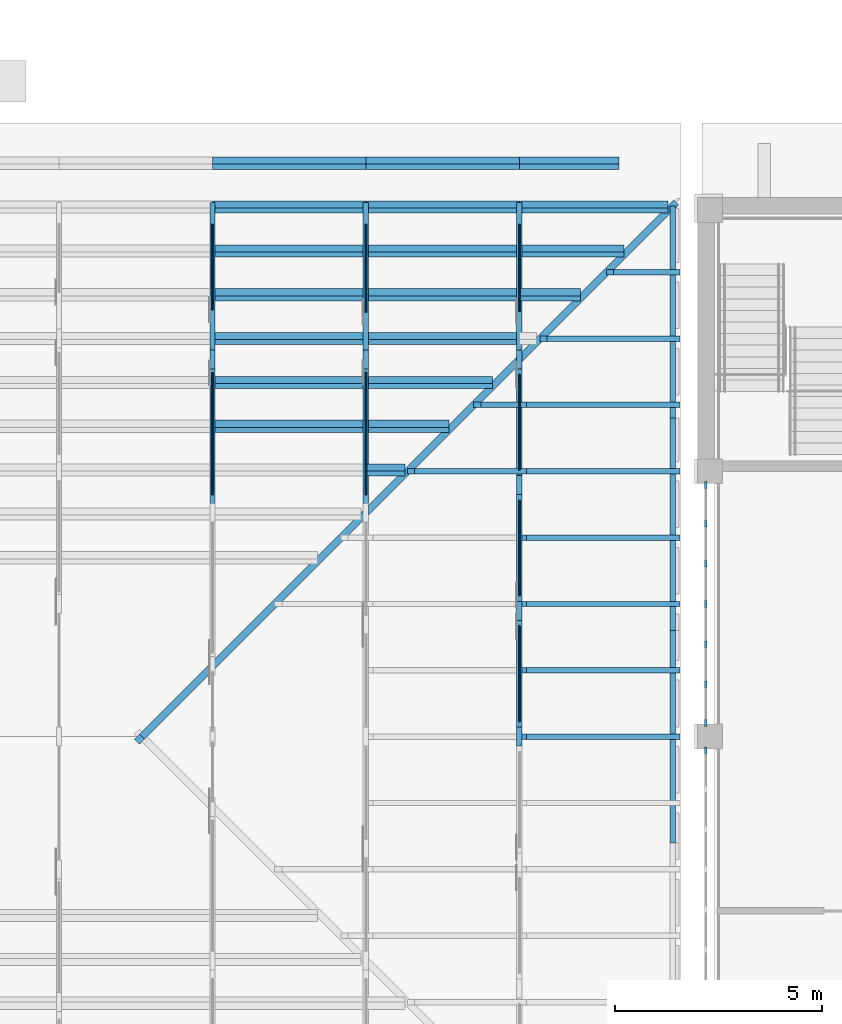
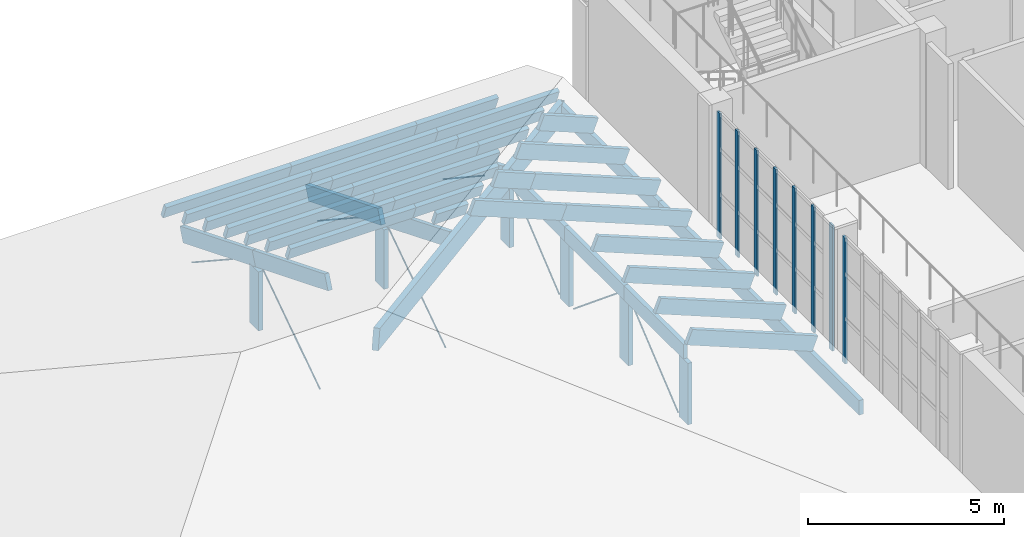
# One storey, part 8 of 68: 59 members, 4 beams, 2 elements without a shape of their own.
"""IFC4 building model written with IfcOpenShell, lengths in metres."""

from ifc_helpers import new_model, si_unit, direction, frame, origin, origin_2d, place, context, subcontext, project, spatial, rectangle, circle, extrude, material, layer, layer_set, material_profile, profile_set, type_object, element, aggregate, save


model = new_model("IFC4")

# Units and contexts
model_context = context("Model", 3, precision=1e-05, world=origin(), true_north=direction((0.0, 1.0)))
body_context = subcontext(model_context, "Body", "Model", "MODEL_VIEW")
ifc_project = project(units=[si_unit("LENGTHUNIT", "METRE"), si_unit("AREAUNIT", "SQUARE_METRE"), si_unit("VOLUMEUNIT", "CUBIC_METRE"), si_unit("PLANEANGLEUNIT", "RADIAN"), si_unit("MASSUNIT", "GRAM", prefix="KILO")], contexts=[model_context])

# Site, building, storey
site_placement = place(None, origin())
site = spatial("IfcSite", under=ifc_project, at=site_placement, CompositionType="ELEMENT")
building_placement = place(site_placement, origin())
building = spatial("IfcBuilding", under=site, at=building_placement, Name="Wasatch Bagh Community Centre", CompositionType="ELEMENT")
storey_placement = place(building_placement, frame((0.0, 0.0, 8.39990234375)))
storey = spatial("IfcBuildingStorey", under=building, at=storey_placement, Name="L02", CompositionType="ELEMENT", Elevation=8.39990234375)

# Beams
ifc_material_1 = material(Name="Glulam 24F-V4 Douglas fir-larch", Category="wood")
ifc_material_profile_1 = material_profile(ifc_material_1, rectangle(XDim=0.130126953125, YDim=0.457275390625, at=origin_2d()), Name="GL 130x457")
ifc_profile_set_1 = profile_set([ifc_material_profile_1], Name="Glulam 24F-V4 Douglas fir-larch")
beam_type_1 = type_object("IfcBeamType", Name="DH GL 130x457 beam", PredefinedType="BEAM", material=ifc_profile_set_1)
beam_1_placement = place(storey_placement, frame((95.800048828125, 16.43994140625, 0.228759765625), z_axis=(0.0, 1.0, 0.0), x_axis=(-1.0, 0.0, 0.0)))
element("IfcBeam", 1, at=beam_1_placement, inside=storey, type_object=beam_type_1, Name="DH.beam.L01.platee3", PredefinedType="BEAM", context=body_context, shape_type="SweptSolid", body=[
    extrude(rectangle(XDim=0.130126953125, YDim=0.457275390625, at=origin_2d()), origin(), (0.0, 0.0, 1.0), 5.1201171875),
])
beam_2_placement = place(storey_placement, frame((95.800048828125, 21.56005859375, 0.228759765625), z_axis=(0.0, 1.0, 0.0), x_axis=(-1.0, 0.0, 0.0)))
element("IfcBeam", 2, at=beam_2_placement, inside=storey, type_object=beam_type_1, Name="DH.beam.L01.platee4", PredefinedType="BEAM", context=body_context, shape_type="SweptSolid", body=[
    extrude(rectangle(XDim=0.130126953125, YDim=0.457275390625, at=origin_2d()), origin(), (0.0, 0.0, 1.0), 5.119873046875),
])
beam_3_placement = place(storey_placement, frame((95.800048828125, 26.679931640625, 0.228759765625), z_axis=(0.0, 1.0, 0.0), x_axis=(-1.0, 0.0, 0.0)))
element("IfcBeam", 3, at=beam_3_placement, inside=storey, type_object=beam_type_1, Name="DH.beam.L01.platee5", PredefinedType="BEAM", context=body_context, shape_type="SweptSolid", body=[
    extrude(rectangle(XDim=0.130126953125, YDim=0.457275390625, at=origin_2d()), origin(), (0.0, 0.0, 1.0), 5.1201171875),
])

# Members
ifc_material_profile_2 = material_profile(ifc_material_1, rectangle(XDim=0.130126953125, YDim=0.457275390625, at=origin_2d()), Name="GL 130x457")
ifc_profile_set_2 = profile_set([ifc_material_profile_2], Name="Glulam 24F-V4 Douglas fir-larch")
member_type_1 = type_object("IfcMemberType", Name="DH GL 130x457 chord", PredefinedType="CHORD", material=ifc_profile_set_2)
member_1_placement = place(storey_placement, frame((84.699951171875, 24.40087890625, 3.2001953125), z_axis=(0.0, 0.927183797629, -0.374606734342), x_axis=(-1.0, 0.0, 0.0)))
element("IfcMember", 4, at=member_1_placement, inside=storey, type_object=member_type_1, Name="DH.TH5.TC08", PredefinedType="CHORD", context=body_context, shape_type="SweptSolid", body=[
    extrude(rectangle(XDim=0.130126953125, YDim=0.457275390625, at=origin_2d()), origin(), (0.0, 0.0, 1.0), 3.9892578125),
])
member_2_placement = place(storey_placement, frame((84.699951171875, 28.100341796875, 1.70556640625), z_axis=(0.0, 0.927179717978, -0.37461683167), x_axis=(-1.0, 0.0, 0.0)))
element("IfcMember", 5, at=member_2_placement, inside=storey, type_object=member_type_1, Name="DH.TH5.TC09", PredefinedType="CHORD", context=body_context, shape_type="SweptSolid", body=[
    extrude(rectangle(XDim=0.130126953125, YDim=0.457275390625, at=origin_2d()), origin(), (0.0, 0.0, 1.0), 3.98974609375),
])
member_3_placement = place(storey_placement, frame((88.39990234375, 24.44189453125, 3.197265625), z_axis=(0.0, 0.925983527477, -0.377563910936), x_axis=(-1.0, 0.0, 0.0)))
element("IfcMember", 6, at=member_3_placement, inside=storey, type_object=member_type_1, Name="DH.TH6.TC08", PredefinedType="CHORD", context=body_context, shape_type="SweptSolid", body=[
    extrude(rectangle(XDim=0.130126953125, YDim=0.457275390625, at=origin_2d()), origin(), (0.0, 0.0, 1.0), 3.949462890625),
])
member_4_placement = place(storey_placement, frame((88.39990234375, 28.100830078125, 1.705322265625), z_axis=(0.0, 0.927183797629, -0.374606734342), x_axis=(-1.0, 0.0, 0.0)))
element("IfcMember", 7, at=member_4_placement, inside=storey, type_object=member_type_1, Name="DH.TH6.TC09", PredefinedType="CHORD", context=body_context, shape_type="SweptSolid", body=[
    extrude(rectangle(XDim=0.130126953125, YDim=0.457275390625, at=origin_2d()), origin(), (0.0, 0.0, 1.0), 3.9892578125),
])
member_5_placement = place(storey_placement, frame((92.10009765625, 19.00048828125, 1.7236328125), z_axis=(0.0, 1.0, 0.0), x_axis=(-1.0, 0.0, 0.0)))
element("IfcMember", 8, at=member_5_placement, inside=storey, type_object=member_type_1, Name="DH.TH7.TC06", PredefinedType="CHORD", context=body_context, shape_type="SweptSolid", body=[
    extrude(rectangle(XDim=0.130126953125, YDim=0.457275390625, at=origin_2d()), origin(), (0.0, 0.0, 1.0), 3.0322265625),
])
member_6_placement = place(storey_placement, frame((92.10009765625, 22.033935546875, 1.7236328125), z_axis=(0.0, 1.0, 0.0), x_axis=(-1.0, 0.0, 0.0)))
element("IfcMember", 9, at=member_6_placement, inside=storey, type_object=member_type_1, Name="DH.TH7.TC07", PredefinedType="CHORD", context=body_context, shape_type="SweptSolid", body=[
    extrude(rectangle(XDim=0.130126953125, YDim=0.457275390625, at=origin_2d()), origin(), (0.0, 0.0, 1.0), 3.031982421875),
])
member_7_placement = place(storey_placement, frame((92.10009765625, 25.0673828125, 1.7236328125), z_axis=(0.0, 0.999999035022, -0.001389228046), x_axis=(-1.0, 0.0, 0.0)))
element("IfcMember", 10, at=member_7_placement, inside=storey, type_object=member_type_1, Name="DH.TH7.TC08", PredefinedType="CHORD", context=body_context, shape_type="SweptSolid", body=[
    extrude(rectangle(XDim=0.130126953125, YDim=0.457275390625, at=origin_2d()), origin(), (0.0, 0.0, 1.0), 2.987548828125),
])
member_8_placement = place(storey_placement, frame((92.10009765625, 28.141845703125, 1.702392578125), z_axis=(0.0, 0.925992338678, -0.377542300557), x_axis=(-1.0, 0.0, 0.0)))
element("IfcMember", 11, at=member_8_placement, inside=storey, type_object=member_type_1, Name="DH.TH7.TC09", PredefinedType="CHORD", context=body_context, shape_type="SweptSolid", body=[
    extrude(rectangle(XDim=0.130126953125, YDim=0.457275390625, at=origin_2d()), origin(), (0.0, 0.0, 1.0), 3.94970703125),
])
ifc_material_profile_3 = material_profile(ifc_material_1, rectangle(XDim=0.130126953125, YDim=0.457275390625, at=origin_2d()), Name="GL 130x457")
ifc_profile_set_3 = profile_set([ifc_material_profile_3], Name="Glulam 24F-V4 Douglas fir-larch")
member_type_2 = type_object("IfcMemberType", Name="DH GL 130x457 post", PredefinedType="POST", material=ifc_profile_set_3)
member_9_placement = place(storey_placement, frame((84.699951171875, 28.10009765625, -0.422607421875), z_axis=(0.0, 0.0, 1.0), x_axis=(1.0, 0.0, 0.0)))
element("IfcMember", 12, at=member_9_placement, inside=storey, type_object=member_type_2, Name="DH.TH5.PS08", PredefinedType="POST", context=body_context, shape_type="SweptSolid", body=[
    extrude(rectangle(XDim=0.130126953125, YDim=0.457275390625, at=origin_2d()), origin(), (0.0, 0.0, 1.0), 1.840576171875),
])
member_10_placement = place(storey_placement, frame((88.39990234375, 28.10009765625, -0.422607421875), z_axis=(0.0, 0.0, 1.0), x_axis=(1.0, 0.0, 0.0)))
element("IfcMember", 13, at=member_10_placement, inside=storey, type_object=member_type_2, Name="DH.TH6.PS08", PredefinedType="POST", context=body_context, shape_type="SweptSolid", body=[
    extrude(rectangle(XDim=0.130126953125, YDim=0.457275390625, at=origin_2d()), origin(), (0.0, 0.0, 1.0), 1.854248046875),
])
for number, where, z_axis, x_axis, name in (
    (14, (92.10009765625, 19.0, -0.422607421875), (0.0, 0.0, 1.0), (1.0, 0.0, 0.0), "DH.TH7.PS05"),
    (15, (92.10009765625, 22.033447265625, -0.422607421875), (0.0, 0.0, 1.0), (1.0, 0.0, 0.0), "DH.TH7.PS06"),
    (16, (92.10009765625, 25.066650390625, -0.422607421875), (0.0, 0.0, 1.0), (1.0, 0.0, 0.0), "DH.TH7.PS07"),
):
    element("IfcMember", number, at=place(storey_placement, frame(where, z_axis=z_axis, x_axis=x_axis)), inside=storey, type_object=member_type_2, Name=name, PredefinedType="POST", context=body_context, shape_type="SweptSolid", body=[
        extrude(rectangle(XDim=0.130126953125, YDim=0.457275390625, at=origin_2d()), origin(), (0.0, 0.0, 1.0), 1.9169921875),
    ])
member_11_placement = place(storey_placement, frame((92.10009765625, 28.10009765625, -0.422607421875), z_axis=(0.0, 0.0, 1.0), x_axis=(1.0, 0.0, 0.0)))
element("IfcMember", 17, at=member_11_placement, inside=storey, type_object=member_type_2, Name="DH.TH7.PS08", PredefinedType="POST", context=body_context, shape_type="SweptSolid", body=[
    extrude(rectangle(XDim=0.130126953125, YDim=0.457275390625, at=origin_2d()), origin(), (0.0, 0.0, 1.0), 1.85498046875),
])
ifc_material_profile_4 = material_profile(ifc_material_1, rectangle(XDim=0.130126953125, YDim=0.457275390625, at=origin_2d()), Name="GL 130x457")
ifc_profile_set_4 = profile_set([ifc_material_profile_4], Name="Glulam 24F-V4 Douglas fir-larch")
member_type_3 = type_object("IfcMemberType", Name="DH GL 130x457 purlin", PredefinedType="PURLIN", material=ifc_profile_set_4)
member_12_placement = place(storey_placement, frame((84.699951171875, 32.82861328125, 0.288330078125), z_axis=(1.0, 0.0, 0.0), x_axis=(0.0, 0.927183854567, 0.374606593416)))
element("IfcMember", 18, at=member_12_placement, inside=storey, type_object=member_type_3, Name="DH.PUR.N02.6", PredefinedType="PURLIN", context=body_context, shape_type="SweptSolid", body=[
    extrude(rectangle(XDim=0.130126953125, YDim=0.457275390625, at=origin_2d()), origin(), (0.0, 0.0, 1.0), 3.699951171875),
])
member_13_placement = place(storey_placement, frame((88.39990234375, 32.82861328125, 0.288330078125), z_axis=(1.0, 0.0, 0.0), x_axis=(0.0, 0.927183854567, 0.374606593416)))
element("IfcMember", 19, at=member_13_placement, inside=storey, type_object=member_type_3, Name="DH.PUR.N02.7", PredefinedType="PURLIN", context=body_context, shape_type="SweptSolid", body=[
    extrude(rectangle(XDim=0.130126953125, YDim=0.457275390625, at=origin_2d()), origin(), (0.0, 0.0, 1.0), 3.7001953125),
])
member_14_placement = place(storey_placement, frame((92.10009765625, 32.82861328125, 0.288330078125), z_axis=(1.0, 0.0, 0.0), x_axis=(0.0, 0.927183854567, 0.374606593416)))
element("IfcMember", 20, at=member_14_placement, inside=storey, type_object=member_type_3, Name="DH.PUR.N02.8", PredefinedType="PURLIN", context=body_context, shape_type="SweptSolid", body=[
    extrude(rectangle(XDim=0.130126953125, YDim=0.457275390625, at=origin_2d()), origin(), (0.0, 0.0, 1.0), 2.39990234375),
])
member_15_placement = place(storey_placement, frame((84.699951171875, 31.771240234375, 0.71533203125), z_axis=(1.0, 0.0, 0.0), x_axis=(0.0, 0.927183854567, 0.374606593416)))
element("IfcMember", 21, at=member_15_placement, inside=storey, type_object=member_type_3, Name="DH.PUR.N03.6", PredefinedType="PURLIN", context=body_context, shape_type="SweptSolid", body=[
    extrude(rectangle(XDim=0.130126953125, YDim=0.457275390625, at=origin_2d()), origin(), (0.0, 0.0, 1.0), 3.699951171875),
])
member_16_placement = place(storey_placement, frame((88.39990234375, 31.771240234375, 0.71533203125), z_axis=(1.0, 0.0, 0.0), x_axis=(0.0, 0.927183854567, 0.374606593416)))
element("IfcMember", 22, at=member_16_placement, inside=storey, type_object=member_type_3, Name="DH.PUR.N03.7", PredefinedType="PURLIN", context=body_context, shape_type="SweptSolid", body=[
    extrude(rectangle(XDim=0.130126953125, YDim=0.457275390625, at=origin_2d()), origin(), (0.0, 0.0, 1.0), 3.7001953125),
])
member_17_placement = place(storey_placement, frame((92.10009765625, 31.771240234375, 0.71533203125), z_axis=(1.0, 0.0, 0.0), x_axis=(0.0, 0.927183854567, 0.374606593416)))
element("IfcMember", 23, at=member_17_placement, inside=storey, type_object=member_type_3, Name="DH.PUR.N03.8", PredefinedType="PURLIN", context=body_context, shape_type="SweptSolid", body=[
    extrude(rectangle(XDim=0.130126953125, YDim=0.457275390625, at=origin_2d()), origin(), (0.0, 0.0, 1.0), 3.585693359375),
])
member_18_placement = place(storey_placement, frame((84.699951171875, 30.714111328125, 1.142578125), z_axis=(1.0, 0.0, 0.0), x_axis=(0.0, 0.927183854567, 0.374606593416)))
element("IfcMember", 24, at=member_18_placement, inside=storey, type_object=member_type_3, Name="DH.PUR.N04.6", PredefinedType="PURLIN", context=body_context, shape_type="SweptSolid", body=[
    extrude(rectangle(XDim=0.130126953125, YDim=0.457275390625, at=origin_2d()), origin(), (0.0, 0.0, 1.0), 3.699951171875),
])
member_19_placement = place(storey_placement, frame((88.39990234375, 30.714111328125, 1.142578125), z_axis=(1.0, 0.0, 0.0), x_axis=(0.0, 0.927183854567, 0.374606593416)))
element("IfcMember", 25, at=member_19_placement, inside=storey, type_object=member_type_3, Name="DH.PUR.N04.7", PredefinedType="PURLIN", context=body_context, shape_type="SweptSolid", body=[
    extrude(rectangle(XDim=0.130126953125, YDim=0.457275390625, at=origin_2d()), origin(), (0.0, 0.0, 1.0), 3.7001953125),
])
member_20_placement = place(storey_placement, frame((92.10009765625, 30.714111328125, 1.142578125), z_axis=(1.0, 0.0, 0.0), x_axis=(0.0, 0.927183854567, 0.374606593416)))
element("IfcMember", 26, at=member_20_placement, inside=storey, type_object=member_type_3, Name="DH.PUR.N04.8", PredefinedType="PURLIN", context=body_context, shape_type="SweptSolid", body=[
    extrude(rectangle(XDim=0.130126953125, YDim=0.457275390625, at=origin_2d()), origin(), (0.0, 0.0, 1.0), 2.528564453125),
])
member_21_placement = place(storey_placement, frame((84.699951171875, 29.656982421875, 1.569580078125), z_axis=(1.0, 0.0, 0.0), x_axis=(0.0, 0.927183854567, 0.374606593416)))
element("IfcMember", 27, at=member_21_placement, inside=storey, type_object=member_type_3, Name="DH.PUR.N05.6", PredefinedType="PURLIN", context=body_context, shape_type="SweptSolid", body=[
    extrude(rectangle(XDim=0.130126953125, YDim=0.457275390625, at=origin_2d()), origin(), (0.0, 0.0, 1.0), 3.699951171875),
])
member_22_placement = place(storey_placement, frame((88.39990234375, 29.656982421875, 1.569580078125), z_axis=(1.0, 0.0, 0.0), x_axis=(0.0, 0.927183854567, 0.374606593416)))
element("IfcMember", 28, at=member_22_placement, inside=storey, type_object=member_type_3, Name="DH.PUR.N05.7", PredefinedType="PURLIN", context=body_context, shape_type="SweptSolid", body=[
    extrude(rectangle(XDim=0.130126953125, YDim=0.457275390625, at=origin_2d()), origin(), (0.0, 0.0, 1.0), 3.7001953125),
])
member_23_placement = place(storey_placement, frame((92.10009765625, 29.656982421875, 1.569580078125), z_axis=(1.0, 0.0, 0.0), x_axis=(0.0, 0.927183854567, 0.374606593416)))
element("IfcMember", 29, at=member_23_placement, inside=storey, type_object=member_type_3, Name="DH.PUR.N05.8", PredefinedType="PURLIN", context=body_context, shape_type="SweptSolid", body=[
    extrude(rectangle(XDim=0.130126953125, YDim=0.457275390625, at=origin_2d()), origin(), (0.0, 0.0, 1.0), 1.471435546875),
])
member_24_placement = place(storey_placement, frame((84.699951171875, 28.599853515625, 1.996826171875), z_axis=(1.0, 0.0, 0.0), x_axis=(0.0, 0.927183854567, 0.374606593416)))
element("IfcMember", 30, at=member_24_placement, inside=storey, type_object=member_type_3, Name="DH.PUR.N06.6", PredefinedType="PURLIN", context=body_context, shape_type="SweptSolid", body=[
    extrude(rectangle(XDim=0.130126953125, YDim=0.457275390625, at=origin_2d()), origin(), (0.0, 0.0, 1.0), 3.699951171875),
])
member_25_placement = place(storey_placement, frame((88.39990234375, 28.599853515625, 1.996826171875), z_axis=(1.0, 0.0, 0.0), x_axis=(0.0, 0.927183854567, 0.374606593416)))
element("IfcMember", 31, at=member_25_placement, inside=storey, type_object=member_type_3, Name="DH.PUR.N06.7", PredefinedType="PURLIN", context=body_context, shape_type="SweptSolid", body=[
    extrude(rectangle(XDim=0.130126953125, YDim=0.457275390625, at=origin_2d()), origin(), (0.0, 0.0, 1.0), 3.7001953125),
])
member_26_placement = place(storey_placement, frame((84.699951171875, 27.542724609375, 2.423828125), z_axis=(1.0, 0.0, 0.0), x_axis=(0.0, 0.927183854567, 0.374606593416)))
element("IfcMember", 32, at=member_26_placement, inside=storey, type_object=member_type_3, Name="DH.PUR.N07.5", PredefinedType="PURLIN", context=body_context, shape_type="SweptSolid", body=[
    extrude(rectangle(XDim=0.130126953125, YDim=0.457275390625, at=origin_2d()), origin(), (0.0, 0.0, 1.0), 3.699951171875),
])
member_27_placement = place(storey_placement, frame((88.39990234375, 27.542724609375, 2.423828125), z_axis=(1.0, 0.0, 0.0), x_axis=(0.0, 0.927183854567, 0.374606593416)))
element("IfcMember", 33, at=member_27_placement, inside=storey, type_object=member_type_3, Name="DH.PUR.N07.6", PredefinedType="PURLIN", context=body_context, shape_type="SweptSolid", body=[
    extrude(rectangle(XDim=0.130126953125, YDim=0.457275390625, at=origin_2d()), origin(), (0.0, 0.0, 1.0), 3.05712890625),
])
member_28_placement = place(storey_placement, frame((84.699951171875, 26.485595703125, 2.85107421875), z_axis=(1.0, 0.0, 0.0), x_axis=(0.0, 0.927183854567, 0.374606593416)))
element("IfcMember", 34, at=member_28_placement, inside=storey, type_object=member_type_3, Name="DH.PUR.N08.5", PredefinedType="PURLIN", context=body_context, shape_type="SweptSolid", body=[
    extrude(rectangle(XDim=0.130126953125, YDim=0.457275390625, at=origin_2d()), origin(), (0.0, 0.0, 1.0), 3.699951171875),
])
member_29_placement = place(storey_placement, frame((88.39990234375, 26.485595703125, 2.85107421875), z_axis=(1.0, 0.0, 0.0), x_axis=(0.0, 0.927183854567, 0.374606593416)))
element("IfcMember", 35, at=member_29_placement, inside=storey, type_object=member_type_3, Name="DH.PUR.N08.6", PredefinedType="PURLIN", context=body_context, shape_type="SweptSolid", body=[
    extrude(rectangle(XDim=0.130126953125, YDim=0.457275390625, at=origin_2d()), origin(), (0.0, 0.0, 1.0), 2.0),
])
member_30_placement = place(storey_placement, frame((88.39990234375, 25.428466796875, 3.278076171875), z_axis=(1.0, 0.0, 0.0), x_axis=(0.0, 0.927183854567, 0.374606593416)))
element("IfcMember", 36, at=member_30_placement, inside=storey, type_object=member_type_3, Name="DH.PUR.N09.6", PredefinedType="PURLIN", context=body_context, shape_type="SweptSolid", body=[
    extrude(rectangle(XDim=0.130126953125, YDim=0.457275390625, at=origin_2d()), origin(), (0.0, 0.0, 1.0), 0.94287109375),
])
ifc_material_profile_5 = material_profile(ifc_material_1, rectangle(XDim=0.130126953125, YDim=0.457275390625, at=origin_2d()), Name="GL 130x457")
ifc_profile_set_5 = profile_set([ifc_material_profile_5], Name="Glulam 24F-V4 Douglas fir-larch")
member_type_4 = type_object("IfcMemberType", Name="DH GL 130x457 rafter", PredefinedType="RAFTER", material=ifc_profile_set_5)
for number, where, z_axis, x_axis, name in (
    (37, (95.8857421875, 19.0, 0.669189453125), (-0.927192810061, 0.0, 0.374584427026), (0.0, -1.0, 0.0), "DH.RAF.E08.1"),
    (38, (95.8857421875, 20.60009765625, 0.669189453125), (-0.927192810061, 0.0, 0.374584427026), (0.0, -1.0, 0.0), "DH.RAF.E09.1"),
    (39, (95.8857421875, 22.199951171875, 0.669189453125), (-0.927192810061, 0.0, 0.374584427026), (0.0, -1.0, 0.0), "DH.RAF.E10.1"),
    (40, (95.8857421875, 23.800048828125, 0.669189453125), (-0.927192810061, 0.0, 0.374584427026), (0.0, -1.0, 0.0), "DH.RAF.E11.1"),
    (41, (95.8857421875, 25.39990234375, 0.669189453125), (-0.927192810061, 0.0, 0.374584427026), (0.0, -1.0, 0.0), "DH.RAF.E12.1"),
):
    element("IfcMember", number, at=place(storey_placement, frame(where, z_axis=z_axis, x_axis=x_axis)), inside=storey, type_object=member_type_4, Name=name, PredefinedType="RAFTER", context=body_context, shape_type="SweptSolid", body=[
        extrude(rectangle(XDim=0.130126953125, YDim=0.457275390625, at=origin_2d()), origin(), (0.0, 0.0, 1.0), 3.99072265625),
    ])
member_31_placement = place(storey_placement, frame((92.185546875, 25.39990234375, 2.1640625), z_axis=(-0.927158403169, 0.0, 0.374669581677), x_axis=(0.0, -1.0, 0.0)))
element("IfcMember", 42, at=member_31_placement, inside=storey, type_object=member_type_4, Name="DH.RAF.E12.2", PredefinedType="RAFTER", context=body_context, shape_type="SweptSolid", body=[
    extrude(rectangle(XDim=0.130126953125, YDim=0.457275390625, at=origin_2d()), origin(), (0.0, 0.0, 1.0), 2.912109375),
])
member_32_placement = place(storey_placement, frame((95.8857421875, 27.0, 0.669189453125), z_axis=(-0.927192810061, 0.0, 0.374584427026), x_axis=(0.0, -1.0, 0.0)))
element("IfcMember", 43, at=member_32_placement, inside=storey, type_object=member_type_4, Name="DH.RAF.E13.1", PredefinedType="RAFTER", context=body_context, shape_type="SweptSolid", body=[
    extrude(rectangle(XDim=0.130126953125, YDim=0.457275390625, at=origin_2d()), origin(), (0.0, 0.0, 1.0), 3.99072265625),
])
member_33_placement = place(storey_placement, frame((92.185546875, 27.0, 2.1640625), z_axis=(-0.927122236955, 0.0, 0.374759066259), x_axis=(0.0, -1.0, 0.0)))
element("IfcMember", 44, at=member_33_placement, inside=storey, type_object=member_type_4, Name="DH.RAF.E13.2", PredefinedType="RAFTER", context=body_context, shape_type="SweptSolid", body=[
    extrude(rectangle(XDim=0.130126953125, YDim=0.457275390625, at=origin_2d()), origin(), (0.0, 0.0, 1.0), 1.186279296875),
])
member_34_placement = place(storey_placement, frame((95.8857421875, 28.60009765625, 0.669189453125), z_axis=(-0.927183259239, 0.0, 0.3746080669), x_axis=(0.0, -1.0, 0.0)))
element("IfcMember", 45, at=member_34_placement, inside=storey, type_object=member_type_4, Name="DH.RAF.E14.1", PredefinedType="RAFTER", context=body_context, shape_type="SweptSolid", body=[
    extrude(rectangle(XDim=0.130126953125, YDim=0.457275390625, at=origin_2d()), origin(), (0.0, 0.0, 1.0), 3.451416015625),
])
member_35_placement = place(storey_placement, frame((95.8857421875, 30.199951171875, 0.669189453125), z_axis=(-0.927183259239, 0.0, 0.3746080669), x_axis=(0.0, -1.0, 0.0)))
element("IfcMember", 46, at=member_35_placement, inside=storey, type_object=member_type_4, Name="DH.RAF.E15.1", PredefinedType="RAFTER", context=body_context, shape_type="SweptSolid", body=[
    extrude(rectangle(XDim=0.130126953125, YDim=0.457275390625, at=origin_2d()), origin(), (0.0, 0.0, 1.0), 1.725830078125),
])

# Beam
ifc_material_profile_6 = material_profile(ifc_material_1, rectangle(XDim=0.17138671875, YDim=0.609619140625, at=origin_2d()), Name="GL 171x610")
ifc_profile_set_6 = profile_set([ifc_material_profile_6], Name="Glulam 24F-V4 Douglas fir-larch")
beam_type_2 = type_object("IfcBeamType", Name="DH GL 171x610 beam", PredefinedType="BEAM", material=ifc_profile_set_6)
beam_4_placement = place(storey_placement, frame((95.82080078125, 31.82080078125, 0.1318359375), z_axis=(-0.679905031174, -0.679905031174, 0.274696736726), x_axis=(0.707106781187, -0.707106781187, 0.0)))
element("IfcBeam", 47, at=beam_4_placement, inside=storey, type_object=beam_type_2, Name="DH.hip.ne", PredefinedType="BEAM", context=body_context, shape_type="SweptSolid", body=[
    extrude(rectangle(XDim=0.17138671875, YDim=0.609619140625, at=origin_2d()), origin(), (0.0, 0.0, 1.0), 18.944091796875),
])

# Members
ifc_material_2 = material(Name="ASTM A572 Grade 50 steel", Category="steel")
ifc_material_profile_7 = material_profile(ifc_material_2, circle(Radius=0.01611328125, at=origin_2d()), Name="ROD 32")
ifc_profile_set_7 = profile_set([ifc_material_profile_7], Name="ASTM A572 Grade 50 steel")
member_type_5 = type_object("IfcMemberType", Name="DH ROD 32 brace", PredefinedType="BRACE", material=ifc_profile_set_7)
member_36_placement = place(storey_placement, frame((84.699951171875, 24.83935546875, -0.408935546875), z_axis=(0.0, 0.82878543143, 0.559566536392), x_axis=(-1.0, 0.0, 0.0)))
element("IfcMember", 48, at=member_36_placement, inside=storey, type_object=member_type_5, Name="DH.TH5.WB07", PredefinedType="BRACE", context=body_context, shape_type="SweptSolid", body=[
    extrude(circle(Radius=0.01611328125, at=origin_2d()), origin(), (0.0, 0.0, 1.0), 3.535888671875),
])
member_37_placement = place(storey_placement, frame((84.699951171875, 31.350341796875, -0.408935546875), z_axis=(0.0, -0.835807102257, 0.549023212457), x_axis=(1.0, 0.0, 0.0)))
element("IfcMember", 49, at=member_37_placement, inside=storey, type_object=member_type_5, Name="DH.TH5.WB08", PredefinedType="BRACE", context=body_context, shape_type="SweptSolid", body=[
    extrude(circle(Radius=0.01611328125, at=origin_2d()), origin(), (0.0, 0.0, 1.0), 2.456787109375),
])
member_38_placement = place(storey_placement, frame((88.39990234375, 24.83935546875, -0.408935546875), z_axis=(0.0, 0.828766546719, 0.559594505905), x_axis=(-1.0, 0.0, 0.0)))
element("IfcMember", 50, at=member_38_placement, inside=storey, type_object=member_type_5, Name="DH.TH6.WB07", PredefinedType="BRACE", context=body_context, shape_type="SweptSolid", body=[
    extrude(circle(Radius=0.01611328125, at=origin_2d()), origin(), (0.0, 0.0, 1.0), 3.550048828125),
])
member_39_placement = place(storey_placement, frame((88.39990234375, 31.350341796875, -0.408935546875), z_axis=(0.0, -0.835798110223, 0.549036901262), x_axis=(1.0, 0.0, 0.0)))
element("IfcMember", 51, at=member_39_placement, inside=storey, type_object=member_type_5, Name="DH.TH6.WB08", PredefinedType="BRACE", context=body_context, shape_type="SweptSolid", body=[
    extrude(circle(Radius=0.01611328125, at=origin_2d()), origin(), (0.0, 0.0, 1.0), 2.522705078125),
])
for number, where, z_axis, x_axis, name in (
    (52, (92.10009765625, 19.370849609375, -0.409912109375), (0.0, 0.771109056571, 0.636703088475), (-1.0, 0.0, 0.0), "DH.TH7.WB05"),
    (53, (92.10009765625, 24.69580078125, -0.409912109375), (0.0, -0.771109056571, 0.636703088475), (1.0, 0.0, 0.0), "DH.TH7.WB06"),
):
    element("IfcMember", number, at=place(storey_placement, frame(where, z_axis=z_axis, x_axis=x_axis)), inside=storey, type_object=member_type_5, Name=name, PredefinedType="BRACE", context=body_context, shape_type="SweptSolid", body=[
        extrude(circle(Radius=0.01611328125, at=origin_2d()), origin(), (0.0, 0.0, 1.0), 2.9716796875),
    ])
member_40_placement = place(storey_placement, frame((92.10009765625, 25.438232421875, -0.409912109375), z_axis=(0.0, 0.771614424443, 0.636090543863), x_axis=(-1.0, 0.0, 0.0)))
element("IfcMember", 54, at=member_40_placement, inside=storey, type_object=member_type_5, Name="DH.TH7.WB07", PredefinedType="BRACE", context=body_context, shape_type="SweptSolid", body=[
    extrude(circle(Radius=0.01611328125, at=origin_2d()), origin(), (0.0, 0.0, 1.0), 2.96875),
])
member_41_placement = place(storey_placement, frame((92.10009765625, 31.3525390625, -0.408935546875), z_axis=(0.0, -0.834382556645, 0.551185766476), x_axis=(1.0, 0.0, 0.0)))
element("IfcMember", 55, at=member_41_placement, inside=storey, type_object=member_type_5, Name="DH.TH7.WB08", PredefinedType="BRACE", context=body_context, shape_type="SweptSolid", body=[
    extrude(circle(Radius=0.01611328125, at=origin_2d()), origin(), (0.0, 0.0, 1.0), 2.50439453125),
])

# Curtain wall, member
ifc_material_3 = material(Name="Aluminium alloy 6063-T6", Category="aluminium")
ifc_layer = layer(ifc_material_3, 0.10009765625)
ifc_layer_set = layer_set([ifc_layer], Name="Aluminium alloy 6063-T6")
curtain_wall_type = type_object("IfcCurtainWallType", Name="KW-CW1", PredefinedType="NOTDEFINED", material=ifc_layer_set)
curtain_wall_1_placement = place(storey_placement, origin())
curtain_wall_1 = element("IfcCurtainWall", 56, at=curtain_wall_1_placement, inside=storey, type_object=curtain_wall_type, Name="Curtain wall KW-CW1", PredefinedType="NOTDEFINED")
ifc_material_profile_8 = material_profile(ifc_material_3, rectangle(XDim=0.06005859375, YDim=0.159912109375, at=origin_2d()), Name="AL 60x160")
ifc_profile_set_8 = profile_set([ifc_material_profile_8], Name="Aluminium alloy 6063-T6")
member_type_6 = type_object("IfcMemberType", Name="KW-CW1 mullion", PredefinedType="MULLION", material=ifc_profile_set_8)
member_42_placement = place(storey_placement, frame((96.60009765625, 18.669921875, 0.0), z_axis=(0.0, 0.0, 1.0), x_axis=(-1.0, 0.0, 0.0)))
member_42 = element("IfcMember", 57, at=member_42_placement, type_object=member_type_6, Name="KW-CW1 mullion 7", PredefinedType="MULLION", context=body_context, shape_type="SweptSolid", body=[
    extrude(rectangle(XDim=0.06005859375, YDim=0.159912109375, at=origin_2d()), origin(), (0.0, 0.0, 1.0), 3.920166015625),
])
aggregate(curtain_wall_1, [member_42])

# Curtain wall, members
curtain_wall_2_placement = place(storey_placement, origin())
curtain_wall_2 = element("IfcCurtainWall", 58, at=curtain_wall_2_placement, inside=storey, type_object=curtain_wall_type, Name="Curtain wall KW-CW1", PredefinedType="NOTDEFINED")
member_43_placement = place(storey_placement, frame((96.60009765625, 19.330078125, 0.0), z_axis=(0.0, 0.0, 1.0), x_axis=(-1.0, 0.0, 0.0)))
member_43 = element("IfcMember", 59, at=member_43_placement, type_object=member_type_6, Name="KW-CW1 mullion 1", PredefinedType="MULLION", context=body_context, shape_type="SweptSolid", body=[
    extrude(rectangle(XDim=0.06005859375, YDim=0.159912109375, at=origin_2d()), origin(), (0.0, 0.0, 1.0), 3.920166015625),
])
member_44_placement = place(storey_placement, frame((96.60009765625, 20.2666015625, 0.0), z_axis=(0.0, 0.0, 1.0), x_axis=(-1.0, 0.0, 0.0)))
member_44 = element("IfcMember", 60, at=member_44_placement, type_object=member_type_6, Name="KW-CW1 mullion 2", PredefinedType="MULLION", context=body_context, shape_type="SweptSolid", body=[
    extrude(rectangle(XDim=0.06005859375, YDim=0.159912109375, at=origin_2d()), origin(), (0.0, 0.0, 1.0), 3.920166015625),
])
member_45_placement = place(storey_placement, frame((96.60009765625, 21.2333984375, 0.0), z_axis=(0.0, 0.0, 1.0), x_axis=(-1.0, 0.0, 0.0)))
member_45 = element("IfcMember", 61, at=member_45_placement, type_object=member_type_6, Name="KW-CW1 mullion 3", PredefinedType="MULLION", context=body_context, shape_type="SweptSolid", body=[
    extrude(rectangle(XDim=0.06005859375, YDim=0.159912109375, at=origin_2d()), origin(), (0.0, 0.0, 1.0), 3.920166015625),
])
member_46_placement = place(storey_placement, frame((96.60009765625, 22.199951171875, 0.0), z_axis=(0.0, 0.0, 1.0), x_axis=(-1.0, 0.0, 0.0)))
member_46 = element("IfcMember", 62, at=member_46_placement, type_object=member_type_6, Name="KW-CW1 mullion 4", PredefinedType="MULLION", context=body_context, shape_type="SweptSolid", body=[
    extrude(rectangle(XDim=0.06005859375, YDim=0.159912109375, at=origin_2d()), origin(), (0.0, 0.0, 1.0), 3.920166015625),
])
member_47_placement = place(storey_placement, frame((96.60009765625, 23.166748046875, 0.0), z_axis=(0.0, 0.0, 1.0), x_axis=(-1.0, 0.0, 0.0)))
member_47 = element("IfcMember", 63, at=member_47_placement, type_object=member_type_6, Name="KW-CW1 mullion 5", PredefinedType="MULLION", context=body_context, shape_type="SweptSolid", body=[
    extrude(rectangle(XDim=0.06005859375, YDim=0.159912109375, at=origin_2d()), origin(), (0.0, 0.0, 1.0), 3.920166015625),
])
member_48_placement = place(storey_placement, frame((96.60009765625, 24.13330078125, 0.0), z_axis=(0.0, 0.0, 1.0), x_axis=(-1.0, 0.0, 0.0)))
member_48 = element("IfcMember", 64, at=member_48_placement, type_object=member_type_6, Name="KW-CW1 mullion 6", PredefinedType="MULLION", context=body_context, shape_type="SweptSolid", body=[
    extrude(rectangle(XDim=0.06005859375, YDim=0.159912109375, at=origin_2d()), origin(), (0.0, 0.0, 1.0), 3.920166015625),
])
member_49_placement = place(storey_placement, frame((96.60009765625, 25.070068359375, 0.0), z_axis=(0.0, 0.0, 1.0), x_axis=(-1.0, 0.0, 0.0)))
member_49 = element("IfcMember", 65, at=member_49_placement, type_object=member_type_6, Name="KW-CW1 mullion 7", PredefinedType="MULLION", context=body_context, shape_type="SweptSolid", body=[
    extrude(rectangle(XDim=0.06005859375, YDim=0.159912109375, at=origin_2d()), origin(), (0.0, 0.0, 1.0), 3.920166015625),
])
aggregate(curtain_wall_2, [member_43, member_44, member_45, member_46, member_47, member_48, member_49])

save(model, "model.ifc")
